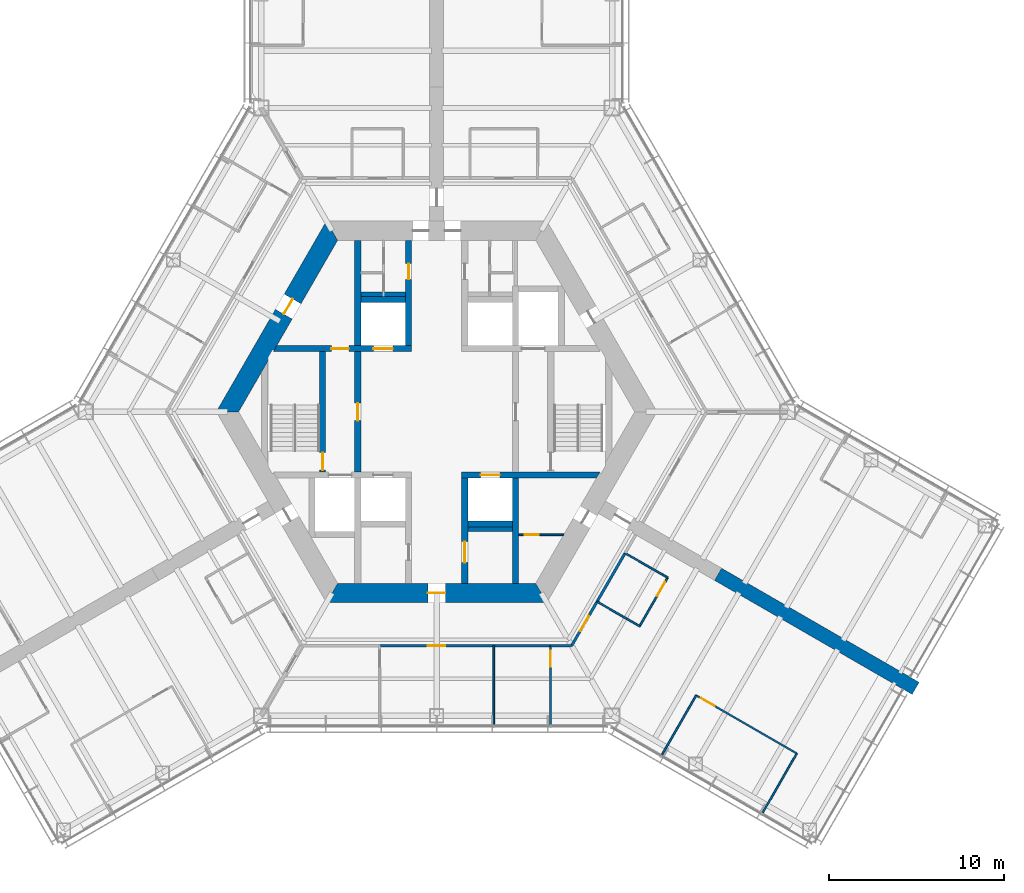
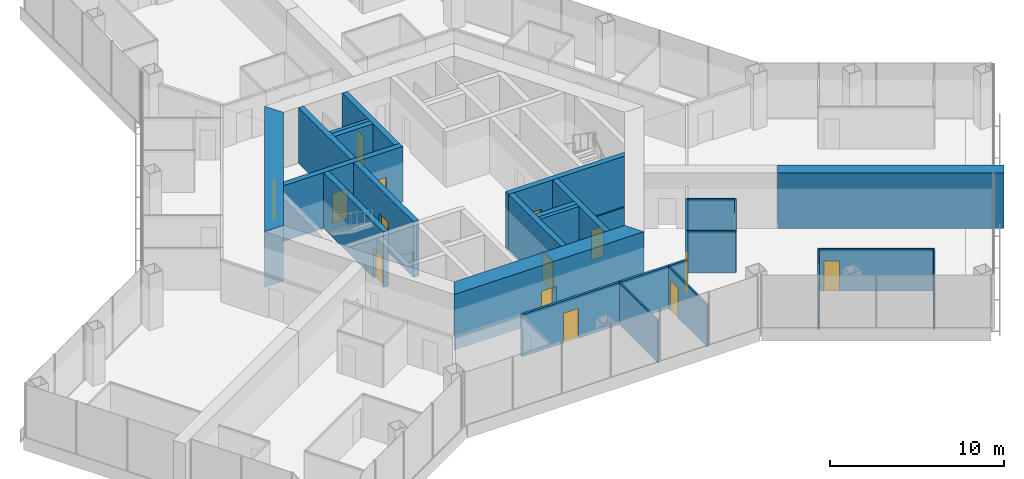
# One storey, part 13 of 19: 29 walls, 15 doors, 15 openings.
"""IFC4 building model written with IfcOpenShell, lengths in metres."""

from ifc_helpers import new_model, si_unit, direction, frame, frame_2d, origin, place, context, subcontext, project, spatial, polyline, rectangle, outline, extrude, material, layer, layer_set, type_object, element, fill, save


model = new_model("IFC4")

# Units and contexts
model_context = context("Model", 3, precision=1e-05, world=origin(), true_north=direction((0.0, 1.0)))
body_context = subcontext(model_context, "Body", "Model", "MODEL_VIEW")
ifc_project = project(units=[si_unit("LENGTHUNIT", "METRE"), si_unit("AREAUNIT", "SQUARE_METRE"), si_unit("VOLUMEUNIT", "CUBIC_METRE"), si_unit("PLANEANGLEUNIT", "RADIAN"), si_unit("MASSUNIT", "GRAM", prefix="KILO")], contexts=[model_context])

# Site, building, storey
site_placement = place(None, origin())
site = spatial("IfcSite", under=ifc_project, at=site_placement, CompositionType="ELEMENT")
building_placement = place(site_placement, origin())
building = spatial("IfcBuilding", under=site, at=building_placement, Name="Kasaneha Research Tower", CompositionType="ELEMENT")
storey_placement = place(building_placement, frame((0.0, 0.0, 84.60009765625)))
storey = spatial("IfcBuildingStorey", under=building, at=storey_placement, Name="L21", CompositionType="ELEMENT", Elevation=84.60009765625)

# Wall, openings, doors
ifc_material_1 = material(Name="Concrete Fc80", Category="concrete")
ifc_layer_1 = layer(ifc_material_1, 0.35009765625)
ifc_layer_set_1 = layer_set([ifc_layer_1], Name="Core internal wall 350 Fc80")
wall_type_1 = type_object("IfcWallType", Name="Core internal wall 350 Fc80", PredefinedType="SHEAR", material=ifc_layer_set_1)
wall_1_placement = place(storey_placement, frame((-9.208740234375, 3.60009765625, 0.0), z_axis=(0.0, 0.0, 1.0), x_axis=(1.0, 0.0, 0.0)))
wall_1 = element("IfcWall", 1, at=wall_1_placement, inside=storey, type_object=wall_type_1, Name="Core wall W1W L21", PredefinedType="SHEAR", context=body_context, shape_type="SweptSolid", body=[
    extrude(outline(polyline([(-0.10107421875, -0.175048828125), (3.208740234375, -0.175048828125), (4.208740234375, -0.175048828125), (5.608642578125, -0.175048828125), (6.708740234375, -0.175048828125), (7.78369140625, -0.175048828125), (7.78369140625, 0.175048828125), (6.708740234375, 0.175048828125), (5.608642578125, 0.175048828125), (4.208740234375, 0.175048828125), (3.208740234375, 0.175048828125), (0.10107421875, 0.175048828125), (-0.10107421875, -0.175048828125)])), origin(), (0.0, 0.0, 1.0), 3.89990234375),
])
opening_1_placement = place(wall_1_placement, frame((3.208740234375, 0.0, 0.0)))
opening_1 = element("IfcOpeningElement", 2, at=opening_1_placement, cuts=wall_1, Name="Opening L21-D12", PredefinedType="OPENING", context=body_context, shape_type="SweptSolid", body=[
    extrude(rectangle(XDim=1.0, YDim=2.10009765625, at=frame_2d((0.5, 1.050048828125))), frame((0.0, 0.18505859375, 0.0), z_axis=(0.0, -1.0, 0.0), x_axis=(1.0, 0.0, 0.0)), (0.0, 0.0, 1.0), 0.3701171875),
])
opening_2_placement = place(wall_1_placement, frame((5.608642578125, 0.0, 0.0)))
opening_2 = element("IfcOpeningElement", 3, at=opening_2_placement, cuts=wall_1, Name="Opening LD-LO1-L21", PredefinedType="OPENING", context=body_context, shape_type="SweptSolid", body=[
    extrude(rectangle(XDim=1.10009765625, YDim=2.10009765625, at=frame_2d((0.550048828125, 1.050048828125))), frame((0.0, 0.18505859375, 0.0), z_axis=(0.0, -1.0, 0.0), x_axis=(1.0, 0.0, 0.0)), (0.0, 0.0, 1.0), 0.3701171875),
])
ifc_material_2 = material(Name="Steel", Category="steel")
door_type_1 = type_object("IfcDoorType", Name="Lift landing door 1100x2100", OperationType="DOUBLE_DOOR_SLIDING", PredefinedType="DOOR", material=ifc_material_2)
door_1_placement = place(opening_2_placement, origin())
door_1 = element("IfcDoor", 4, at=door_1_placement, inside=storey, type_object=door_type_1, Name="Landing door LO1 LD-LO1-L21", OperationType="DOUBLE_DOOR_SLIDING", OverallHeight=2.10009765625, OverallWidth=1.10009765625, PredefinedType="DOOR", context=body_context, shape_type="SweptSolid", body=[
    extrude(rectangle(XDim=1.10009765625, YDim=2.10009765625, at=frame_2d((0.550048828125, 1.050048828125))), frame((0.0, 0.02490234375, 0.0), z_axis=(0.0, -1.0, 0.0), x_axis=(1.0, 0.0, 0.0)), (0.0, 0.0, 1.0), 0.050048828125),
])
fill(opening_2, door_1)
ifc_material_3 = material(Name="Steel", Category="steel")
door_type_2 = type_object("IfcDoorType", Name="Specified fire door FD60 1000x2100", OperationType="NOTDEFINED", PredefinedType="DOOR", material=ifc_material_3)
door_2_placement = place(opening_1_placement, origin())
door_2 = element("IfcDoor", 5, at=door_2_placement, inside=storey, type_object=door_type_2, Name="Vestibule to lobby door L21-D12", OperationType="SINGLE_SWING_RIGHT", OverallHeight=2.10009765625, OverallWidth=1.0, PredefinedType="DOOR", context=body_context, shape_type="SweptSolid", body=[
    extrude(rectangle(XDim=1.0, YDim=2.10009765625, at=frame_2d((0.5, 1.050048828125))), frame((0.0, 0.02490234375, 0.0), z_axis=(0.0, -1.0, 0.0), x_axis=(1.0, 0.0, 0.0)), (0.0, 0.0, 1.0), 0.050048828125),
])
fill(opening_1, door_2)

# Wall, opening, door
wall_2_placement = place(storey_placement, frame((1.425048828125, -3.60009765625, 0.0), z_axis=(0.0, 0.0, 1.0), x_axis=(1.0, 0.0, 0.0)))
wall_2 = element("IfcWall", 6, at=wall_2_placement, inside=storey, type_object=wall_type_1, Name="Core wall W2E L21", PredefinedType="SHEAR", context=body_context, shape_type="SweptSolid", body=[
    extrude(outline(polyline([(0.0, -0.175048828125), (1.074951171875, -0.175048828125), (2.175048828125, -0.175048828125), (7.6826171875, -0.175048828125), (7.884765625, 0.175048828125), (2.175048828125, 0.175048828125), (1.074951171875, 0.175048828125), (0.0, 0.175048828125), (0.0, -0.175048828125)])), origin(), (0.0, 0.0, 1.0), 3.89990234375),
])
opening_3_placement = place(wall_2_placement, frame((1.074951171875, 0.0, 0.0)))
opening_3 = element("IfcOpeningElement", 7, at=opening_3_placement, cuts=wall_2, Name="Opening LD-LO3-L21", PredefinedType="OPENING", context=body_context, shape_type="SweptSolid", body=[
    extrude(rectangle(XDim=1.10009765625, YDim=2.10009765625, at=frame_2d((0.550048828125, 1.050048828125))), frame((0.0, 0.18505859375, 0.0), z_axis=(0.0, -1.0, 0.0), x_axis=(1.0, 0.0, 0.0)), (0.0, 0.0, 1.0), 0.3701171875),
])
door_3_placement = place(opening_3_placement, origin())
door_3 = element("IfcDoor", 8, at=door_3_placement, inside=storey, type_object=door_type_1, Name="Landing door LO3 LD-LO3-L21", OperationType="DOUBLE_DOOR_SLIDING", OverallHeight=2.10009765625, OverallWidth=1.10009765625, PredefinedType="DOOR", context=body_context, shape_type="SweptSolid", body=[
    extrude(rectangle(XDim=1.10009765625, YDim=2.10009765625, at=frame_2d((0.550048828125, 1.050048828125))), frame((0.0, 0.02490234375, 0.0), z_axis=(0.0, -1.0, 0.0), x_axis=(1.0, 0.0, 0.0)), (0.0, 0.0, 1.0), 0.050048828125),
])
fill(opening_3, door_3)

wall_3_placement = place(storey_placement, frame((-1.60009765625, 3.77490234375, 0.0), z_axis=(0.0, 0.0, 1.0), x_axis=(0.0, 1.0, 0.0)))
wall_3 = element("IfcWall", 9, at=wall_3_placement, inside=storey, type_object=wall_type_1, Name="Core wall CNW L21", PredefinedType="SHEAR", context=body_context, shape_type="SweptSolid", body=[
    extrude(rectangle(XDim=6.0, YDim=0.35009765625, at=frame_2d((3.0, 0.0))), origin(), (0.0, 0.0, 1.0), 3.89990234375),
])
opening_4_placement = place(wall_3_placement, frame((3.77490234375, 0.0, 0.0)))
opening_4 = element("IfcOpeningElement", 10, at=opening_4_placement, cuts=wall_3, Name="Opening L21-D13", PredefinedType="OPENING", context=body_context, shape_type="SweptSolid", body=[
    extrude(rectangle(XDim=0.89990234375, YDim=2.10009765625, at=frame_2d((0.449951171875, 1.050048828125))), frame((0.0, 0.18505859375, 0.0), z_axis=(0.0, -1.0, 0.0), x_axis=(1.0, 0.0, 0.0)), (0.0, 0.0, 1.0), 0.3701171875),
])
ifc_material_4 = material(Name="Steel", Category="steel")
door_type_3 = type_object("IfcDoorType", Name="Toilet door FD20 900x2100", OperationType="NOTDEFINED", PredefinedType="DOOR", material=ifc_material_4)
door_4_placement = place(opening_4_placement, origin())
door_4 = element("IfcDoor", 11, at=door_4_placement, inside=storey, type_object=door_type_3, Name="Men's WC door L21-D13", OperationType="SINGLE_SWING_LEFT", OverallHeight=2.10009765625, OverallWidth=0.89990234375, PredefinedType="DOOR", context=body_context, shape_type="SweptSolid", body=[
    extrude(rectangle(XDim=0.89990234375, YDim=2.10009765625, at=frame_2d((0.449951171875, 1.050048828125))), frame((0.0, 0.02490234375, 0.0), z_axis=(0.0, -1.0, 0.0), x_axis=(1.0, 0.0, 0.0)), (0.0, 0.0, 1.0), 0.050048828125),
])
fill(opening_4, door_4)

wall_4_placement = place(storey_placement, frame((1.60009765625, -3.77490234375, 0.0), z_axis=(0.0, 0.0, 1.0), x_axis=(0.0, -1.0, 0.0)))
wall_4 = element("IfcWall", 12, at=wall_4_placement, inside=storey, type_object=wall_type_1, Name="Core wall CSE L21", PredefinedType="SHEAR", context=body_context, shape_type="SweptSolid", body=[
    extrude(rectangle(XDim=6.0, YDim=0.35009765625, at=frame_2d((3.0, 0.0))), origin(), (0.0, 0.0, 1.0), 3.89990234375),
])
opening_5_placement = place(wall_4_placement, frame((3.625, 0.0, 0.0)))
opening_5 = element("IfcOpeningElement", 13, at=opening_5_placement, cuts=wall_4, Name="Opening L21-D15", PredefinedType="OPENING", context=body_context, shape_type="SweptSolid", body=[
    extrude(rectangle(XDim=1.199951171875, YDim=2.10009765625, at=frame_2d((0.60009765625, 1.050048828125))), frame((0.0, 0.18505859375, 0.0), z_axis=(0.0, -1.0, 0.0), x_axis=(1.0, 0.0, 0.0)), (0.0, 0.0, 1.0), 0.3701171875),
])
ifc_material_5 = material(Name="Steel", Category="steel")
door_type_4 = type_object("IfcDoorType", Name="Accessible toilet sliding door FD20 1200x2100", OperationType="SLIDING_TO_LEFT", PredefinedType="DOOR", material=ifc_material_5)
door_5_placement = place(opening_5_placement, origin())
door_5 = element("IfcDoor", 14, at=door_5_placement, inside=storey, type_object=door_type_4, Name="Accessible WC door L21-D15", OperationType="SLIDING_TO_LEFT", OverallHeight=2.10009765625, OverallWidth=1.199951171875, PredefinedType="DOOR", context=body_context, shape_type="SweptSolid", body=[
    extrude(rectangle(XDim=1.199951171875, YDim=2.10009765625, at=frame_2d((0.60009765625, 1.050048828125))), frame((0.0, 0.02490234375, 0.0), z_axis=(0.0, -1.0, 0.0), x_axis=(1.0, 0.0, 0.0)), (0.0, 0.0, 1.0), 0.050048828125),
])
fill(opening_5, door_5)

wall_5_placement = place(storey_placement, frame((-4.5, -3.425048828125, 0.0), z_axis=(0.0, 0.0, 1.0), x_axis=(0.0, 1.0, 0.0)))
wall_5 = element("IfcWall", 15, at=wall_5_placement, inside=storey, type_object=wall_type_1, Name="Core wall LBW L21", PredefinedType="SHEAR", context=body_context, shape_type="SweptSolid", body=[
    extrude(rectangle(XDim=6.85009765625, YDim=0.35009765625, at=frame_2d((3.425048828125, 0.0))), origin(), (0.0, 0.0, 1.0), 3.89990234375),
])
opening_6_placement = place(wall_5_placement, frame((2.925048828125, 0.0, 0.0)))
opening_6 = element("IfcOpeningElement", 16, at=opening_6_placement, cuts=wall_5, Name="Opening L21-D09", PredefinedType="OPENING", context=body_context, shape_type="SweptSolid", body=[
    extrude(rectangle(XDim=1.0, YDim=2.10009765625, at=frame_2d((0.5, 1.050048828125))), frame((0.0, 0.18505859375, 0.0), z_axis=(0.0, -1.0, 0.0), x_axis=(1.0, 0.0, 0.0)), (0.0, 0.0, 1.0), 0.3701171875),
])
door_6_placement = place(opening_6_placement, origin())
door_6 = element("IfcDoor", 17, at=door_6_placement, inside=storey, type_object=door_type_2, Name="Lift lobby door west L21-D09", OperationType="SINGLE_SWING_LEFT", OverallHeight=2.10009765625, OverallWidth=1.0, PredefinedType="DOOR", context=body_context, shape_type="SweptSolid", body=[
    extrude(rectangle(XDim=1.0, YDim=2.10009765625, at=frame_2d((0.5, 1.050048828125))), frame((0.0, 0.02490234375, 0.0), z_axis=(0.0, -1.0, 0.0), x_axis=(1.0, 0.0, 0.0)), (0.0, 0.0, 1.0), 0.050048828125),
])
fill(opening_6, door_6)

wall_6_placement = place(storey_placement, frame((-6.5, -3.425048828125, 0.0), z_axis=(0.0, 0.0, 1.0), x_axis=(0.0, 1.0, 0.0)))
wall_6 = element("IfcWall", 18, at=wall_6_placement, inside=storey, type_object=wall_type_1, Name="Core wall ANW L21", PredefinedType="SHEAR", context=body_context, shape_type="SweptSolid", body=[
    extrude(rectangle(XDim=6.85009765625, YDim=0.35009765625, at=frame_2d((3.425048828125, 0.0))), origin(), (0.0, 0.0, 1.0), 3.89990234375),
])
opening_7_placement = place(wall_6_placement, frame((0.10009765625, 0.0, 0.0)))
opening_7 = element("IfcOpeningElement", 19, at=opening_7_placement, cuts=wall_6, Name="Opening L21-D11", PredefinedType="OPENING", context=body_context, shape_type="SweptSolid", body=[
    extrude(rectangle(XDim=1.0, YDim=2.10009765625, at=frame_2d((0.5, 1.050048828125))), frame((0.0, 0.18505859375, 0.0), z_axis=(0.0, -1.0, 0.0), x_axis=(1.0, 0.0, 0.0)), (0.0, 0.0, 1.0), 0.3701171875),
])
door_7_placement = place(opening_7_placement, origin())
door_7 = element("IfcDoor", 20, at=door_7_placement, inside=storey, type_object=door_type_2, Name="Stair 2 door L21-D11", OperationType="SINGLE_SWING_LEFT", OverallHeight=2.10009765625, OverallWidth=1.0, PredefinedType="DOOR", context=body_context, shape_type="SweptSolid", body=[
    extrude(rectangle(XDim=1.0, YDim=2.10009765625, at=frame_2d((0.5, 1.050048828125))), frame((0.0, 0.02490234375, 0.0), z_axis=(0.0, -1.0, 0.0), x_axis=(1.0, 0.0, 0.0)), (0.0, 0.0, 1.0), 0.050048828125),
])
fill(opening_7, door_7)

# Walls
for number, where, z_axis, x_axis, name in (
    (21, (-4.5, 3.77490234375, 0.0), (0.0, 0.0, 1.0), (0.0, 1.0, 0.0), "Core wall VNW L21"),
    (22, (4.5, -3.77490234375, 0.0), (0.0, 0.0, 1.0), (0.0, -1.0, 0.0), "Core wall SSE L21"),
):
    element("IfcWall", number, at=place(storey_placement, frame(where, z_axis=z_axis, x_axis=x_axis)), inside=storey, type_object=wall_type_1, Name=name, PredefinedType="SHEAR", context=body_context, shape_type="SweptSolid", body=[
        extrude(rectangle(XDim=6.0, YDim=0.35009765625, at=frame_2d((3.0, 0.0))), origin(), (0.0, 0.0, 1.0), 3.89990234375),
    ])
for number, where, z_axis, x_axis, name in (
    (23, (-4.324951171875, 6.39990234375, 0.0), (0.0, 0.0, 1.0), (1.0, 0.0, 0.0), "Core wall N1N L21"),
    (24, (1.77490234375, -6.39990234375, 0.0), (0.0, 0.0, 1.0), (1.0, 0.0, 0.0), "Core wall S3S L21"),
):
    element("IfcWall", number, at=place(storey_placement, frame(where, z_axis=z_axis, x_axis=x_axis)), inside=storey, type_object=wall_type_1, Name=name, PredefinedType="SHEAR", context=body_context, shape_type="SweptSolid", body=[
        extrude(rectangle(XDim=2.550048828125, YDim=0.35009765625, at=frame_2d((1.27490234375, 0.0))), origin(), (0.0, 0.0, 1.0), 3.89990234375),
    ])

# Wall, opening, door
ifc_material_6 = material(Name="Concrete Fc80", Category="concrete")
ifc_layer_2 = layer(ifc_material_6, 1.10009765625)
ifc_layer_set_2 = layer_set([ifc_layer_2], Name="Core wall 1100 Fc80")
wall_type_2 = type_object("IfcWallType", Name="Core wall 1100 Fc80", PredefinedType="SHEAR", material=ifc_layer_set_2)
wall_7_placement = place(storey_placement, frame((-5.961181640625, 10.324951171875, 0.0), z_axis=(0.0, 0.0, 1.0), x_axis=(-0.500004296715, -0.866022923061, 0.0)))
wall_7 = element("IfcWall", 25, at=wall_7_placement, inside=storey, type_object=wall_type_2, Name="Core wall 150 L21", PredefinedType="SHEAR", context=body_context, shape_type="SweptSolid", body=[
    extrude(outline(polyline([(-0.317626953125, -0.550048828125), (4.494140625, -0.550048828125), (5.494140625, -0.550048828125), (12.239990234375, -0.550048828125), (11.604736328125, 0.550048828125), (5.494140625, 0.550048828125), (4.494140625, 0.550048828125), (0.317626953125, 0.550048828125), (-0.317626953125, -0.550048828125)])), origin(), (0.0, 0.0, 1.0), 3.89990234375),
])
opening_8_placement = place(wall_7_placement, frame((4.494140625, 0.0, 0.0)))
opening_8 = element("IfcOpeningElement", 26, at=opening_8_placement, cuts=wall_7, Name="Opening L21-D07", PredefinedType="OPENING", context=body_context, shape_type="SweptSolid", body=[
    extrude(rectangle(XDim=1.0, YDim=2.10009765625, at=frame_2d((0.5, 1.050048828125))), frame((0.0, 0.56005859375, 0.0), z_axis=(0.0, -1.0, 0.0), x_axis=(1.0, 0.0, 0.0)), (0.0, 0.0, 1.0), 1.1201171875),
])
ifc_material_7 = material(Name="Steel", Category="steel")
door_type_5 = type_object("IfcDoorType", Name="Fire door FD20 1000x2100", OperationType="NOTDEFINED", PredefinedType="DOOR", material=ifc_material_7)
door_8_placement = place(opening_8_placement, origin())
door_8 = element("IfcDoor", 27, at=door_8_placement, inside=storey, type_object=door_type_5, Name="Vestibule door L21-D07", OperationType="SINGLE_SWING_LEFT", OverallHeight=2.10009765625, OverallWidth=1.0, PredefinedType="DOOR", context=body_context, shape_type="SweptSolid", body=[
    extrude(rectangle(XDim=1.0, YDim=2.10009765625, at=frame_2d((0.5, 1.050048828125))), frame((0.0, 0.02490234375, 0.0), z_axis=(0.0, -1.0, 0.0), x_axis=(1.0, 0.0, 0.0)), (0.0, 0.0, 1.0), 0.050048828125),
])
fill(opening_8, door_8)

wall_8_placement = place(storey_placement, frame((-5.961181640625, -10.324951171875, 0.0), z_axis=(0.0, 0.0, 1.0), x_axis=(1.0, 0.0, 0.0)))
wall_8 = element("IfcWall", 28, at=wall_8_placement, inside=storey, type_object=wall_type_2, Name="Core wall 270 L21", PredefinedType="SHEAR", context=body_context, shape_type="SweptSolid", body=[
    extrude(outline(polyline([(-0.317626953125, -0.550048828125), (5.461181640625, -0.550048828125), (6.461181640625, -0.550048828125), (12.239990234375, -0.550048828125), (11.604736328125, 0.550048828125), (6.461181640625, 0.550048828125), (5.461181640625, 0.550048828125), (0.317626953125, 0.550048828125), (-0.317626953125, -0.550048828125)])), origin(), (0.0, 0.0, 1.0), 3.89990234375),
])
opening_9_placement = place(wall_8_placement, frame((5.461181640625, 0.0, 0.0)))
opening_9 = element("IfcOpeningElement", 29, at=opening_9_placement, cuts=wall_8, Name="Opening L21-D03", PredefinedType="OPENING", context=body_context, shape_type="SweptSolid", body=[
    extrude(rectangle(XDim=1.0, YDim=2.10009765625, at=frame_2d((0.5, 1.050048828125))), frame((0.0, 0.56005859375, 0.0), z_axis=(0.0, -1.0, 0.0), x_axis=(1.0, 0.0, 0.0)), (0.0, 0.0, 1.0), 1.1201171875),
])
door_9_placement = place(opening_9_placement, origin())
door_9 = element("IfcDoor", 30, at=door_9_placement, inside=storey, type_object=door_type_5, Name="Core door south L21-D03", OperationType="SINGLE_SWING_LEFT", OverallHeight=2.10009765625, OverallWidth=1.0, PredefinedType="DOOR", context=body_context, shape_type="SweptSolid", body=[
    extrude(rectangle(XDim=1.0, YDim=2.10009765625, at=frame_2d((0.5, 1.050048828125))), frame((0.0, 0.02490234375, 0.0), z_axis=(0.0, -1.0, 0.0), x_axis=(1.0, 0.0, 0.0)), (0.0, 0.0, 1.0), 0.050048828125),
])
fill(opening_9, door_9)

ifc_material_8 = material(Name="Gypsum board on steel studs, one layer each side", Category="steel")
ifc_layer_3 = layer(ifc_material_8, 0.10009765625)
ifc_layer_set_3 = layer_set([ifc_layer_3], Name="Office partition 100")
wall_type_3 = type_object("IfcWallType", Name="Office partition 100", PredefinedType="PARTITIONING", material=ifc_layer_set_3)
wall_9_placement = place(storey_placement, frame((4.675048828125, -7.0, 0.0), z_axis=(0.0, 0.0, 1.0), x_axis=(1.0, 0.0, 0.0)))
wall_9 = element("IfcWall", 31, at=wall_9_placement, inside=storey, type_object=wall_type_3, Name="Office partition RS-SE L21", PredefinedType="PARTITIONING", context=body_context, shape_type="SweptSolid", body=[
    extrude(outline(polyline([(0.0, -0.050048828125), (0.35009765625, -0.050048828125), (1.150146484375, -0.050048828125), (2.5419921875, -0.050048828125), (2.57080078125, 0.0), (2.57666015625, 0.050048828125), (1.150146484375, 0.050048828125), (0.35009765625, 0.050048828125), (0.0, 0.050048828125), (0.0, -0.050048828125)])), origin(), (0.0, 0.0, 1.0), 2.949951171875),
])
opening_10_placement = place(wall_9_placement, frame((0.35009765625, 0.0, 0.0)))
opening_10 = element("IfcOpeningElement", 32, at=opening_10_placement, cuts=wall_9, Name="Opening L21-D24", PredefinedType="OPENING", context=body_context, shape_type="SweptSolid", body=[
    extrude(rectangle(XDim=0.800048828125, YDim=2.10009765625, at=frame_2d((0.39990234375, 1.050048828125))), frame((0.0, 0.06005859375, 0.0), z_axis=(0.0, -1.0, 0.0), x_axis=(1.0, 0.0, 0.0)), (0.0, 0.0, 1.0), 0.1201171875),
])
ifc_material_9 = material(Name="Steel", Category="steel")
door_type_6 = type_object("IfcDoorType", Name="Riser access door FD60 800x2100", OperationType="NOTDEFINED", PredefinedType="DOOR", material=ifc_material_9)
door_10_placement = place(opening_10_placement, origin())
door_10 = element("IfcDoor", 33, at=door_10_placement, inside=storey, type_object=door_type_6, Name="Drainage riser door L21-D24", OperationType="SINGLE_SWING_LEFT", OverallHeight=2.10009765625, OverallWidth=0.800048828125, PredefinedType="DOOR", context=body_context, shape_type="SweptSolid", body=[
    extrude(rectangle(XDim=0.800048828125, YDim=2.10009765625, at=frame_2d((0.39990234375, 1.050048828125))), frame((0.0, 0.02490234375, 0.0), z_axis=(0.0, -1.0, 0.0), x_axis=(1.0, 0.0, 0.0)), (0.0, 0.0, 1.0), 0.050048828125),
])
fill(opening_10, door_10)

# Walls
for number, where, z_axis, x_axis, name in (
    (34, (10.737548828125, -8.052001953125, 0.0), (0.0, 0.0, 1.0), (0.866855433567, -0.498559582492, 0.0), "Office partition FCS08 L21"),
    (35, (11.564697265625, -12.219482421875, 0.0), (0.0, 0.0, 1.0), (-0.865195372903, 0.501434907746, 0.0), "Office partition FCS09 L21"),
):
    element("IfcWall", number, at=place(storey_placement, frame(where, z_axis=z_axis, x_axis=x_axis)), inside=storey, type_object=wall_type_3, Name=name, PredefinedType="PARTITIONING", context=body_context, shape_type="SweptSolid", body=[
        extrude(rectangle(XDim=2.800048828125, YDim=0.10009765625, at=frame_2d((1.39990234375, 0.0))), origin(), (0.0, 0.0, 1.0), 2.949951171875),
    ])

# Wall, opening, door
wall_10_placement = place(storey_placement, frame((13.164794921875, -9.447998046875, 0.0), z_axis=(0.0, 0.0, 1.0), x_axis=(-0.499995408039, -0.866028054938, 0.0)))
wall_10 = element("IfcWall", 36, at=wall_10_placement, inside=storey, type_object=wall_type_3, Name="Office partition FCS10 L21", PredefinedType="PARTITIONING", context=body_context, shape_type="SweptSolid", body=[
    extrude(rectangle(XDim=3.2001953125, YDim=0.10009765625, at=frame_2d((1.60009765625, 0.0))), origin(), (0.0, 0.0, 1.0), 2.949951171875),
])
opening_11_placement = place(wall_10_placement, frame((0.300048828125, 0.0, 0.0)))
opening_11 = element("IfcOpeningElement", 37, at=opening_11_placement, cuts=wall_10, Name="Opening L21-D53", PredefinedType="OPENING", context=body_context, shape_type="SweptSolid", body=[
    extrude(rectangle(XDim=0.89990234375, YDim=2.10009765625, at=frame_2d((0.449951171875, 1.050048828125))), frame((0.0, 0.06005859375, 0.0), z_axis=(0.0, -1.0, 0.0), x_axis=(1.0, 0.0, 0.0)), (0.0, 0.0, 1.0), 0.1201171875),
])
ifc_material_10 = material(Name="Timber veneer", Category="wood")
door_type_7 = type_object("IfcDoorType", Name="Office door 900x2100", OperationType="SINGLE_SWING_LEFT", PredefinedType="DOOR", material=ifc_material_10)
door_11_placement = place(opening_11_placement, origin())
door_11 = element("IfcDoor", 38, at=door_11_placement, inside=storey, type_object=door_type_7, Name="Pantry door L21-D53", OperationType="SINGLE_SWING_LEFT", OverallHeight=2.10009765625, OverallWidth=0.89990234375, PredefinedType="DOOR", context=body_context, shape_type="SweptSolid", body=[
    extrude(rectangle(XDim=0.89990234375, YDim=2.10009765625, at=frame_2d((0.449951171875, 1.050048828125))), frame((0.0, 0.02490234375, 0.0), z_axis=(0.0, -1.0, 0.0), x_axis=(1.0, 0.0, 0.0)), (0.0, 0.0, 1.0), 0.050048828125),
])
fill(opening_11, door_11)

wall_11_placement = place(storey_placement, frame((6.48828125, -13.324951171875, 0.0), z_axis=(0.0, 0.0, 1.0), x_axis=(0.001026139015, -0.999999473519, 0.0)))
wall_11 = element("IfcWall", 39, at=wall_11_placement, inside=storey, type_object=wall_type_3, Name="Office partition FCS12 L21", PredefinedType="PARTITIONING", context=body_context, shape_type="SweptSolid", body=[
    extrude(rectangle(XDim=4.5205078125, YDim=0.10009765625, at=frame_2d((2.26025390625, 0.0))), origin(), (0.0, 0.0, 1.0), 2.949951171875),
])
opening_12_placement = place(wall_11_placement, frame((0.300048828125, 0.0, 0.0)))
opening_12 = element("IfcOpeningElement", 40, at=opening_12_placement, cuts=wall_11, Name="Opening L21-D55", PredefinedType="OPENING", context=body_context, shape_type="SweptSolid", body=[
    extrude(rectangle(XDim=0.89990234375, YDim=2.10009765625, at=frame_2d((0.449951171875, 1.050048828125))), frame((0.0, 0.06005859375, 0.0), z_axis=(0.0, -1.0, 0.0), x_axis=(1.0, 0.0, 0.0)), (0.0, 0.0, 1.0), 0.1201171875),
])
door_12_placement = place(opening_12_placement, origin())
door_12 = element("IfcDoor", 41, at=door_12_placement, inside=storey, type_object=door_type_7, Name="Manager's office door L21-D55", OperationType="SINGLE_SWING_LEFT", OverallHeight=2.10009765625, OverallWidth=0.89990234375, PredefinedType="DOOR", context=body_context, shape_type="SweptSolid", body=[
    extrude(rectangle(XDim=0.89990234375, YDim=2.10009765625, at=frame_2d((0.449951171875, 1.050048828125))), frame((0.0, 0.02490234375, 0.0), z_axis=(0.0, -1.0, 0.0), x_axis=(1.0, 0.0, 0.0)), (0.0, 0.0, 1.0), 0.050048828125),
])
fill(opening_12, door_12)

# Walls
wall_12_placement = place(storey_placement, frame((3.246337890625, -17.800537109375, 0.0), z_axis=(0.0, 0.0, 1.0), x_axis=(0.001036438457, 0.999999462898, 0.0)))
element("IfcWall", 42, at=wall_12_placement, inside=storey, type_object=wall_type_3, Name="Office partition FCS13 L21", PredefinedType="PARTITIONING", context=body_context, shape_type="SweptSolid", body=[
    extrude(rectangle(XDim=4.4755859375, YDim=0.10009765625, at=frame_2d((2.23779296875, 0.0))), origin(), (0.0, 0.0, 1.0), 2.949951171875),
])
wall_13_placement = place(storey_placement, frame((12.84228515625, -19.538818359375, 0.0), z_axis=(0.0, 0.0, 1.0), x_axis=(0.499997012787, 0.866027128446, 0.0)))
element("IfcWall", 43, at=wall_13_placement, inside=storey, type_object=wall_type_3, Name="Office partition FCS14 L21", PredefinedType="PARTITIONING", context=body_context, shape_type="SweptSolid", body=[
    extrude(rectangle(XDim=3.89990234375, YDim=0.10009765625, at=frame_2d((1.949951171875, 0.0))), origin(), (0.0, 0.0, 1.0), 2.949951171875),
])

# Wall, opening, door
wall_14_placement = place(storey_placement, frame((14.792236328125, -16.161376953125, 0.0), z_axis=(0.0, 0.0, 1.0), x_axis=(0.866021597574, -0.500006592492, 0.0)))
wall_14 = element("IfcWall", 44, at=wall_14_placement, inside=storey, type_object=wall_type_3, Name="Office partition FCS15 L21", PredefinedType="PARTITIONING", context=body_context, shape_type="SweptSolid", body=[
    extrude(rectangle(XDim=6.61962890625, YDim=0.10009765625, at=frame_2d((3.309814453125, 0.0))), origin(), (0.0, 0.0, 1.0), 2.949951171875),
])
opening_13_placement = place(wall_14_placement, frame((0.300048828125, 0.0, 0.0)))
opening_13 = element("IfcOpeningElement", 45, at=opening_13_placement, cuts=wall_14, Name="Opening L21-D56", PredefinedType="OPENING", context=body_context, shape_type="SweptSolid", body=[
    extrude(rectangle(XDim=0.89990234375, YDim=2.10009765625, at=frame_2d((0.449951171875, 1.050048828125))), frame((0.0, 0.06005859375, 0.0), z_axis=(0.0, -1.0, 0.0), x_axis=(1.0, 0.0, 0.0)), (0.0, 0.0, 1.0), 0.1201171875),
])
door_13_placement = place(opening_13_placement, origin())
door_13 = element("IfcDoor", 46, at=door_13_placement, inside=storey, type_object=door_type_7, Name="Manager's office door L21-D56", OperationType="SINGLE_SWING_LEFT", OverallHeight=2.10009765625, OverallWidth=0.89990234375, PredefinedType="DOOR", context=body_context, shape_type="SweptSolid", body=[
    extrude(rectangle(XDim=0.89990234375, YDim=2.10009765625, at=frame_2d((0.449951171875, 1.050048828125))), frame((0.0, 0.02490234375, 0.0), z_axis=(0.0, -1.0, 0.0), x_axis=(1.0, 0.0, 0.0)), (0.0, 0.0, 1.0), 0.050048828125),
])
fill(opening_13, door_13)

# Walls
wall_15_placement = place(storey_placement, frame((20.52490234375, -19.47119140625, 0.0), z_axis=(0.0, 0.0, 1.0), x_axis=(-0.499996613652, -0.866027358884, 0.0)))
element("IfcWall", 47, at=wall_15_placement, inside=storey, type_object=wall_type_3, Name="Office partition FCS16 L21", PredefinedType="PARTITIONING", context=body_context, shape_type="SweptSolid", body=[
    extrude(rectangle(XDim=3.8798828125, YDim=0.10009765625, at=frame_2d((1.93994140625, 0.0))), origin(), (0.0, 0.0, 1.0), 2.949951171875),
])
ifc_material_11 = material(Name="Concrete Fc80", Category="concrete")
ifc_layer_4 = layer(ifc_material_11, 0.800048828125)
ifc_layer_set_4 = layer_set([ifc_layer_4], Name="Spine wall 800 Fc80")
wall_type_4 = type_object("IfcWallType", Name="Spine wall 800 Fc80", PredefinedType="SHEAR", material=ifc_layer_set_4)
wall_16_placement = place(storey_placement, frame((16.039306640625, -9.26025390625, 0.0), z_axis=(0.0, 0.0, 1.0), x_axis=(0.866024837091, -0.50000098154, 0.0)))
element("IfcWall", 48, at=wall_16_placement, inside=storey, type_object=wall_type_4, Name="Spine wall C wing L21", PredefinedType="SHEAR", context=body_context, shape_type="SweptSolid", body=[
    extrude(rectangle(XDim=13.0, YDim=0.800048828125, at=frame_2d((6.5, 0.0))), origin(), (0.0, 0.0, 1.0), 3.89990234375),
])
ifc_material_12 = material(Name="Gypsum board on steel studs, two layers each side", Category="steel")
ifc_layer_5 = layer(ifc_material_12, 0.14990234375)
ifc_layer_set_5 = layer_set([ifc_layer_5], Name="Suite partition 150")
wall_type_5 = type_object("IfcWallType", Name="Suite partition 150", PredefinedType="PARTITIONING", material=ifc_layer_set_5)
wall_17_placement = place(storey_placement, frame((10.7421875, -8.043701171875, 0.0), z_axis=(0.0, 0.0, 1.0), x_axis=(-0.499983599745, -0.866034872269, 0.0)))
element("IfcWall", 49, at=wall_17_placement, inside=storey, type_object=wall_type_5, Name="Suite partition FCS01 L21", PredefinedType="PARTITIONING", context=body_context, shape_type="SweptSolid", body=[
    extrude(rectangle(XDim=3.2099609375, YDim=0.14990234375, at=frame_2d((1.60498046875, 0.0))), origin(), (0.0, 0.0, 1.0), 2.949951171875),
])
wall_18_placement = place(storey_placement, frame((6.497802734375, -13.324951171875, 0.0), z_axis=(0.0, 0.0, 1.0), x_axis=(-1.0, 0.0, 0.0)))
element("IfcWall", 50, at=wall_18_placement, inside=storey, type_object=wall_type_5, Name="Suite partition FCS03 L21", PredefinedType="PARTITIONING", context=body_context, shape_type="SweptSolid", body=[
    extrude(rectangle(XDim=3.25634765625, YDim=0.14990234375, at=frame_2d((1.628173828125, 0.0))), origin(), (0.0, 0.0, 1.0), 2.949951171875),
])
wall_19_placement = place(storey_placement, frame((7.693115234375, -13.324951171875, 0.0), z_axis=(0.0, 0.0, 1.0), x_axis=(-1.0, 0.0, 0.0)))
element("IfcWall", 51, at=wall_19_placement, inside=storey, type_object=wall_type_5, Name="Suite partition FCS04 L21", PredefinedType="PARTITIONING", context=body_context, shape_type="SweptSolid", body=[
    extrude(rectangle(XDim=1.204833984375, YDim=0.14990234375, at=frame_2d((0.6025390625, 0.0))), origin(), (0.0, 0.0, 1.0), 2.949951171875),
])

# Wall, opening, door
wall_20_placement = place(storey_placement, frame((9.14208984375, -10.8154296875, 0.0), z_axis=(0.0, 0.0, 1.0), x_axis=(-0.500026322743, -0.866010205808, 0.0)))
wall_20 = element("IfcWall", 52, at=wall_20_placement, inside=storey, type_object=wall_type_5, Name="Suite partition FCS05 L21", PredefinedType="PARTITIONING", context=body_context, shape_type="SweptSolid", body=[
    extrude(rectangle(XDim=2.897705078125, YDim=0.14990234375, at=frame_2d((1.44873046875, 0.0))), origin(), (0.0, 0.0, 1.0), 2.949951171875),
])
opening_14_placement = place(wall_20_placement, frame((0.94873046875, 0.0, 0.0)))
opening_14 = element("IfcOpeningElement", 53, at=opening_14_placement, cuts=wall_20, Name="Opening L21-D51", PredefinedType="OPENING", context=body_context, shape_type="SweptSolid", body=[
    extrude(rectangle(XDim=1.0, YDim=2.10009765625, at=frame_2d((0.5, 1.050048828125))), frame((0.0, 0.0849609375, 0.0), z_axis=(0.0, -1.0, 0.0), x_axis=(1.0, 0.0, 0.0)), (0.0, 0.0, 1.0), 0.169921875),
])
ifc_material_13 = material(Name="Steel", Category="steel")
door_type_8 = type_object("IfcDoorType", Name="Suite entrance door FD60 1000x2100", OperationType="NOTDEFINED", PredefinedType="DOOR", material=ifc_material_13)
door_14_placement = place(opening_14_placement, origin())
door_14 = element("IfcDoor", 54, at=door_14_placement, inside=storey, type_object=door_type_8, Name="Suite entrance door L21-D51", OperationType="SINGLE_SWING_LEFT", OverallHeight=2.10009765625, OverallWidth=1.0, PredefinedType="DOOR", context=body_context, shape_type="SweptSolid", body=[
    extrude(rectangle(XDim=1.0, YDim=2.10009765625, at=frame_2d((0.5, 1.050048828125))), frame((0.0, 0.02490234375, 0.0), z_axis=(0.0, -1.0, 0.0), x_axis=(1.0, 0.0, 0.0)), (0.0, 0.0, 1.0), 0.050048828125),
])
fill(opening_14, door_14)

wall_21_placement = place(storey_placement, frame((3.2509765625, -13.324951171875, 0.0), z_axis=(0.0, 0.0, 1.0), x_axis=(-1.0, 0.0, 0.0)))
wall_21 = element("IfcWall", 55, at=wall_21_placement, inside=storey, type_object=wall_type_5, Name="Suite partition FCS07 L21", PredefinedType="PARTITIONING", context=body_context, shape_type="SweptSolid", body=[
    extrude(rectangle(XDim=6.501953125, YDim=0.14990234375, at=frame_2d((3.2509765625, 0.0))), origin(), (0.0, 0.0, 1.0), 2.949951171875),
])
opening_15_placement = place(wall_21_placement, frame((2.7509765625, 0.0, 0.0)))
opening_15 = element("IfcOpeningElement", 56, at=opening_15_placement, cuts=wall_21, Name="Opening L21-D52", PredefinedType="OPENING", context=body_context, shape_type="SweptSolid", body=[
    extrude(rectangle(XDim=1.0, YDim=2.10009765625, at=frame_2d((0.5, 1.050048828125))), frame((0.0, 0.0849609375, 0.0), z_axis=(0.0, -1.0, 0.0), x_axis=(1.0, 0.0, 0.0)), (0.0, 0.0, 1.0), 0.169921875),
])
door_15_placement = place(opening_15_placement, origin())
door_15 = element("IfcDoor", 57, at=door_15_placement, inside=storey, type_object=door_type_8, Name="Suite entrance door L21-D52", OperationType="SINGLE_SWING_LEFT", OverallHeight=2.10009765625, OverallWidth=1.0, PredefinedType="DOOR", context=body_context, shape_type="SweptSolid", body=[
    extrude(rectangle(XDim=1.0, YDim=2.10009765625, at=frame_2d((0.5, 1.050048828125))), frame((0.0, 0.02490234375, 0.0), z_axis=(0.0, -1.0, 0.0), x_axis=(1.0, 0.0, 0.0)), (0.0, 0.0, 1.0), 0.050048828125),
])
fill(opening_15, door_15)

# Walls
ifc_material_14 = material(Name="Concrete block lining", Category="concrete")
ifc_layer_6 = layer(ifc_material_14, 0.25)
ifc_layer_set_6 = layer_set([ifc_layer_6], Name="WC plumbing wall 250")
wall_type_6 = type_object("IfcWallType", Name="WC plumbing wall 250", PredefinedType="PLUMBINGWALL", material=ifc_layer_set_6)
for number, where, z_axis, x_axis, name in (
    (58, (-4.324951171875, 6.699951171875, 0.0), (0.0, 0.0, 1.0), (1.0, 0.0, 0.0), "WC plumbing wall M L21"),
    (59, (1.77490234375, -6.699951171875, 0.0), (0.0, 0.0, 1.0), (1.0, 0.0, 0.0), "WC plumbing wall A L21"),
):
    element("IfcWall", number, at=place(storey_placement, frame(where, z_axis=z_axis, x_axis=x_axis)), inside=storey, type_object=wall_type_6, Name=name, PredefinedType="PLUMBINGWALL", context=body_context, shape_type="SweptSolid", body=[
        extrude(rectangle(XDim=2.550048828125, YDim=0.25, at=frame_2d((1.27490234375, 0.0))), origin(), (0.0, 0.0, 1.0), 3.89990234375),
    ])

save(model, "model.ifc")
